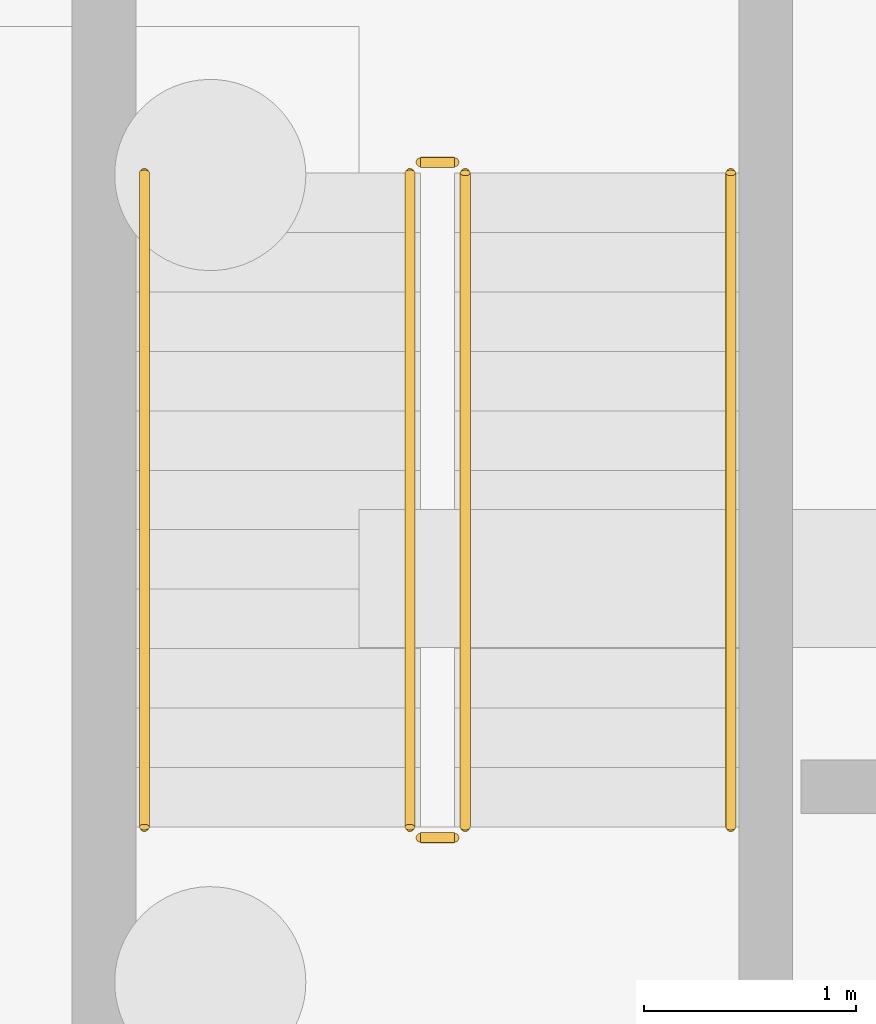
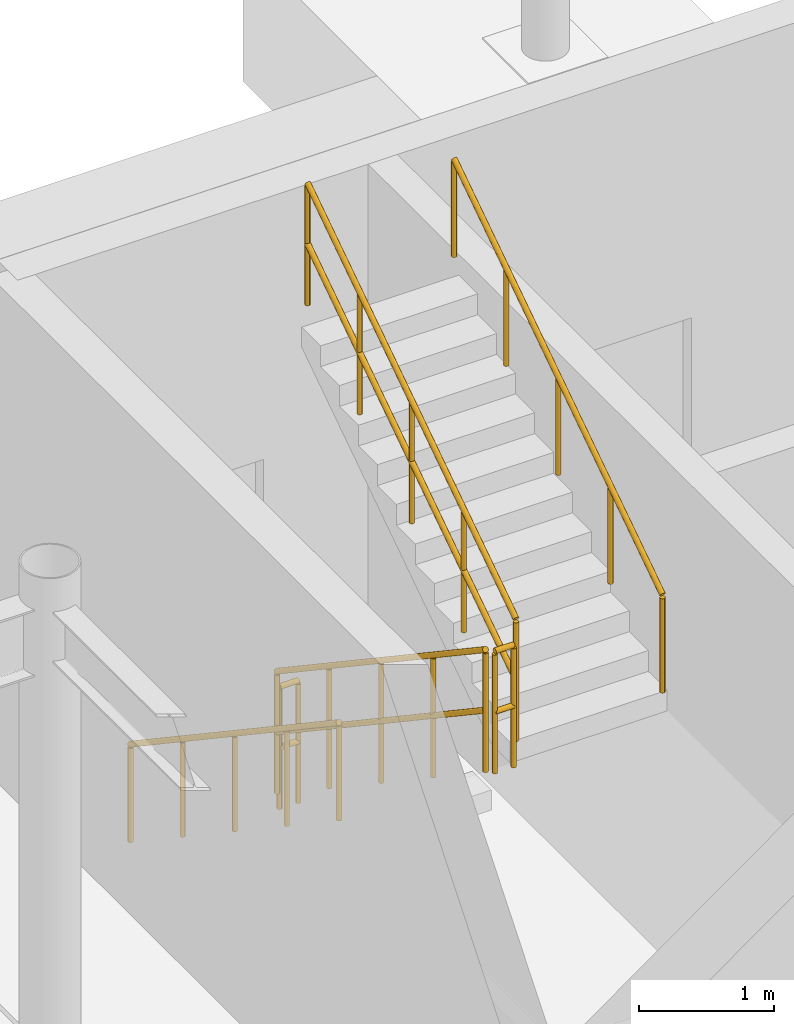
# One storey, part 73 of 75: 6 railings.
"""IFC4 building model written with IfcOpenShell, lengths in metres."""

from ifc_helpers import new_model, si_unit, derived_unit, direction, frame, origin, origin_2d_with_axis, place, context, subcontext, project, spatial, circle, extrude, material, layer, layer_set, type_object, element, save


model = new_model("IFC4")

# Units and contexts
model_context = context("Model", 3, precision=1e-05, world=origin(), true_north=direction((0.0, 1.0)))
body_context = subcontext(model_context, "Body", "Model", "MODEL_VIEW")
ifc_project = project(units=[si_unit("LENGTHUNIT", "METRE"), si_unit("AREAUNIT", "SQUARE_METRE"), si_unit("VOLUMEUNIT", "CUBIC_METRE"), si_unit("PLANEANGLEUNIT", "RADIAN"), si_unit("MASSUNIT", "GRAM", prefix="KILO"), derived_unit("THERMALTRANSMITTANCEUNIT", [(si_unit("POWERUNIT", "WATT"), 1), (si_unit("LENGTHUNIT", "METRE"), -2), (si_unit("THERMODYNAMICTEMPERATUREUNIT", "KELVIN"), -1)])], contexts=[model_context])

# Site, building, storey
site_placement = place(None, origin())
site = spatial("IfcSite", under=ifc_project, at=site_placement, CompositionType="ELEMENT")
building_placement = place(site_placement, origin())
building = spatial("IfcBuilding", under=site, at=building_placement, Name="Cinnabar Yard Market Hall", CompositionType="ELEMENT")
storey_placement = place(building_placement, frame((0.0, 0.0, -4.5)))
storey = spatial("IfcBuildingStorey", under=building, at=storey_placement, Name="B1", CompositionType="ELEMENT", Elevation=-4.5)

# Railings
ifc_material_1 = material(Name="Galvanised steel Grade 300 (300 MPa) guardrail", Category="steel")
ifc_layer_1 = layer(ifc_material_1, 0.06005859375)
ifc_layer_set_1 = layer_set([ifc_layer_1], Name="Galvanised steel Grade 300 (300 MPa) guardrail")
railing_type_1 = type_object("IfcRailingType", Name="RL-G03", PredefinedType="GUARDRAIL", material=ifc_layer_set_1)
railing_1_placement = place(storey_placement, frame((139.0400390625, 65.909912109375, 0.1875)))
element("IfcRailing", 1, at=railing_1_placement, inside=storey, type_object=railing_type_1, Name="B1 ST-C7 stair guard 1", PredefinedType="GUARDRAIL", context=body_context, shape_type="SweptSolid", body=[
    extrude(circle(Radius=0.02392578125, at=origin_2d_with_axis()), frame((0.0, 0.0, 1.09619140625), z_axis=(0.0, -0.830893310487, 0.556431762742), x_axis=(1.0, 0.0, 0.0)), (0.0, 0.0, 1.0), 3.70654296875),
    extrude(circle(Radius=0.02392578125, at=origin_2d_with_axis()), frame((0.0, 0.0, 0.550048828125), z_axis=(0.0, -0.830893310487, 0.556431762742), x_axis=(1.0, 0.0, 0.0)), (0.0, 0.0, 1.0), 3.70654296875),
    extrude(circle(Radius=0.02099609375, at=origin_2d_with_axis()), origin(), (0.0, 0.0, 1.0), 1.072021484375),
    extrude(circle(Radius=0.02099609375, at=origin_2d_with_axis()), frame((0.0, -0.77001953125, 0.515625)), (0.0, 0.0, 1.0), 1.072021484375),
    extrude(circle(Radius=0.02099609375, at=origin_2d_with_axis()), frame((0.0, -1.5400390625, 1.03125)), (0.0, 0.0, 1.0), 1.072021484375),
    extrude(circle(Radius=0.02099609375, at=origin_2d_with_axis()), frame((0.0, -2.309814453125, 1.546875)), (0.0, 0.0, 1.0), 1.072021484375),
    extrude(circle(Radius=0.02099609375, at=origin_2d_with_axis()), frame((0.0, -3.079833984375, 2.0625)), (0.0, 0.0, 1.0), 1.072021484375),
])
railing_2_placement = place(storey_placement, frame((139.090087890625, 62.780029296875, 2.25)))
element("IfcRailing", 2, at=railing_2_placement, inside=storey, type_object=railing_type_1, Name="B1 ST-C7 stair guard 2", PredefinedType="GUARDRAIL", context=body_context, shape_type="SweptSolid", body=[
    extrude(circle(Radius=0.02392578125, at=origin_2d_with_axis()), frame((0.0, 0.0, 1.09619140625), z_axis=(1.0, 0.0, 0.0), x_axis=(0.0, 1.0, 0.0)), (0.0, 0.0, 1.0), 0.159912109375),
    extrude(circle(Radius=0.02392578125, at=origin_2d_with_axis()), frame((0.0, 0.0, 0.550048828125), z_axis=(1.0, 0.0, 0.0), x_axis=(0.0, 1.0, 0.0)), (0.0, 0.0, 1.0), 0.159912109375),
    extrude(circle(Radius=0.02099609375, at=origin_2d_with_axis()), origin(), (0.0, 0.0, 1.0), 1.072021484375),
    extrude(circle(Radius=0.02099609375, at=origin_2d_with_axis()), frame((0.159912109375, 0.0, 0.0)), (0.0, 0.0, 1.0), 1.072021484375),
])
railing_3_placement = place(storey_placement, frame((139.300048828125, 62.830078125, 2.4375)))
element("IfcRailing", 3, at=railing_3_placement, inside=storey, type_object=railing_type_1, Name="B1 ST-C7 stair guard 3", PredefinedType="GUARDRAIL", context=body_context, shape_type="SweptSolid", body=[
    extrude(circle(Radius=0.02392578125, at=origin_2d_with_axis()), frame((0.0, 0.0, 1.09619140625), z_axis=(0.0, 0.830893310487, 0.556431762742), x_axis=(-1.0, 0.0, 0.0)), (0.0, 0.0, 1.0), 3.70654296875),
    extrude(circle(Radius=0.02392578125, at=origin_2d_with_axis()), frame((0.0, 0.0, 0.550048828125), z_axis=(0.0, 0.830893310487, 0.556431762742), x_axis=(-1.0, 0.0, 0.0)), (0.0, 0.0, 1.0), 3.70654296875),
    extrude(circle(Radius=0.02099609375, at=origin_2d_with_axis()), origin(), (0.0, 0.0, 1.0), 1.072021484375),
    extrude(circle(Radius=0.02099609375, at=origin_2d_with_axis()), frame((0.0, 0.77001953125, 0.515625)), (0.0, 0.0, 1.0), 1.072021484375),
    extrude(circle(Radius=0.02099609375, at=origin_2d_with_axis()), frame((0.0, 1.5400390625, 1.03125)), (0.0, 0.0, 1.0), 1.072021484375),
    extrude(circle(Radius=0.02099609375, at=origin_2d_with_axis()), frame((0.0, 2.309814453125, 1.546875)), (0.0, 0.0, 1.0), 1.072021484375),
    extrude(circle(Radius=0.02099609375, at=origin_2d_with_axis()), frame((0.0, 3.079833984375, 2.0625)), (0.0, 0.0, 1.0), 1.072021484375),
])
railing_4_placement = place(storey_placement, frame((139.090087890625, 65.9599609375, 0.0)))
element("IfcRailing", 4, at=railing_4_placement, inside=storey, type_object=railing_type_1, Name="B1 ST-C7 stair guard 4", PredefinedType="GUARDRAIL", context=body_context, shape_type="SweptSolid", body=[
    extrude(circle(Radius=0.02392578125, at=origin_2d_with_axis()), frame((0.0, 0.0, 1.09619140625), z_axis=(1.0, 0.0, 0.0), x_axis=(0.0, 1.0, 0.0)), (0.0, 0.0, 1.0), 0.159912109375),
    extrude(circle(Radius=0.02392578125, at=origin_2d_with_axis()), frame((0.0, 0.0, 0.550048828125), z_axis=(1.0, 0.0, 0.0), x_axis=(0.0, 1.0, 0.0)), (0.0, 0.0, 1.0), 0.159912109375),
    extrude(circle(Radius=0.02099609375, at=origin_2d_with_axis()), origin(), (0.0, 0.0, 1.0), 1.072021484375),
    extrude(circle(Radius=0.02099609375, at=origin_2d_with_axis()), frame((0.159912109375, 0.0, 0.0)), (0.0, 0.0, 1.0), 1.072021484375),
])
ifc_material_2 = material(Name="Brushed stainless steel handrail", Category="steel")
ifc_layer_2 = layer(ifc_material_2, 0.050048828125)
ifc_layer_set_2 = layer_set([ifc_layer_2], Name="Brushed stainless steel handrail")
railing_type_2 = type_object("IfcRailingType", Name="RL-HR1", PredefinedType="HANDRAIL", material=ifc_layer_set_2)
railing_5_placement = place(storey_placement, frame((137.7900390625, 65.909912109375, 0.1875)))
element("IfcRailing", 5, at=railing_5_placement, inside=storey, type_object=railing_type_2, Name="B1 ST-C7 stair handrail 1", PredefinedType="HANDRAIL", context=body_context, shape_type="SweptSolid", body=[
    extrude(circle(Radius=0.02392578125, at=origin_2d_with_axis()), frame((0.0, 0.0, 0.8759765625), z_axis=(0.0, -0.830893310487, 0.556431762742), x_axis=(1.0, 0.0, 0.0)), (0.0, 0.0, 1.0), 3.70654296875),
    extrude(circle(Radius=0.02099609375, at=origin_2d_with_axis()), origin(), (0.0, 0.0, 1.0), 0.851806640625),
    extrude(circle(Radius=0.02099609375, at=origin_2d_with_axis()), frame((0.0, -0.77001953125, 0.515625)), (0.0, 0.0, 1.0), 0.851806640625),
    extrude(circle(Radius=0.02099609375, at=origin_2d_with_axis()), frame((0.0, -1.5400390625, 1.03125)), (0.0, 0.0, 1.0), 0.851806640625),
    extrude(circle(Radius=0.02099609375, at=origin_2d_with_axis()), frame((0.0, -2.309814453125, 1.546875)), (0.0, 0.0, 1.0), 0.851806640625),
    extrude(circle(Radius=0.02099609375, at=origin_2d_with_axis()), frame((0.0, -3.079833984375, 2.0625)), (0.0, 0.0, 1.0), 0.851806640625),
])
railing_6_placement = place(storey_placement, frame((140.550048828125, 62.830078125, 2.4375)))
element("IfcRailing", 6, at=railing_6_placement, inside=storey, type_object=railing_type_2, Name="B1 ST-C7 stair handrail 2", PredefinedType="HANDRAIL", context=body_context, shape_type="SweptSolid", body=[
    extrude(circle(Radius=0.02392578125, at=origin_2d_with_axis()), frame((0.0, 0.0, 0.8759765625), z_axis=(0.0, 0.830893310487, 0.556431762742), x_axis=(-1.0, 0.0, 0.0)), (0.0, 0.0, 1.0), 3.70654296875),
    extrude(circle(Radius=0.02099609375, at=origin_2d_with_axis()), origin(), (0.0, 0.0, 1.0), 0.851806640625),
    extrude(circle(Radius=0.02099609375, at=origin_2d_with_axis()), frame((0.0, 0.77001953125, 0.515625)), (0.0, 0.0, 1.0), 0.851806640625),
    extrude(circle(Radius=0.02099609375, at=origin_2d_with_axis()), frame((0.0, 1.5400390625, 1.03125)), (0.0, 0.0, 1.0), 0.851806640625),
    extrude(circle(Radius=0.02099609375, at=origin_2d_with_axis()), frame((0.0, 2.309814453125, 1.546875)), (0.0, 0.0, 1.0), 0.851806640625),
    extrude(circle(Radius=0.02099609375, at=origin_2d_with_axis()), frame((0.0, 3.079833984375, 2.0625)), (0.0, 0.0, 1.0), 0.851806640625),
])

save(model, "model.ifc")
